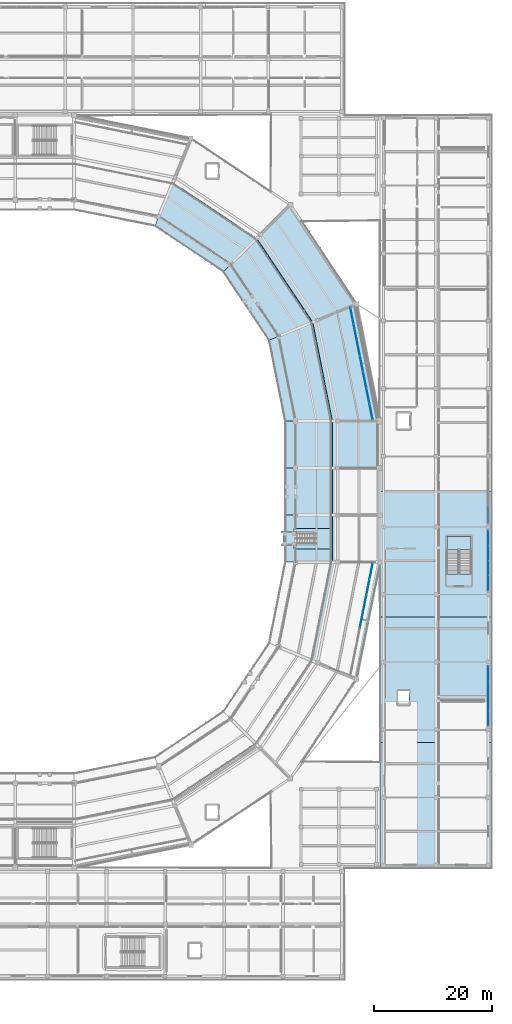
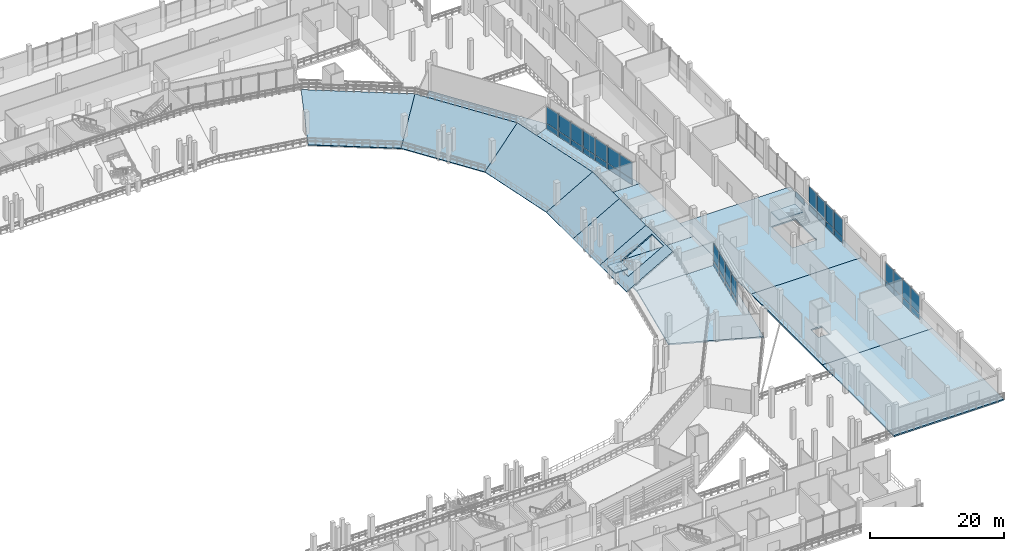
# One storey, part 67 of 127: 39 plates, 17 slabs, 7 elements without a shape of their own.
"""IFC4 building model written with IfcOpenShell, lengths in metres."""

from ifc_helpers import new_model, si_unit, direction, frame, origin, origin_2d, place, context, subcontext, project, spatial, polyline, rectangle, outline, extrude, material, layer, layer_set, type_object, element, aggregate, save


model = new_model("IFC4")

# Units and contexts
model_context = context("Model", 3, precision=1e-05, world=origin(), true_north=direction((0.0, 1.0)))
body_context = subcontext(model_context, "Body", "Model", "MODEL_VIEW")
ifc_project = project(units=[si_unit("LENGTHUNIT", "METRE"), si_unit("AREAUNIT", "SQUARE_METRE"), si_unit("VOLUMEUNIT", "CUBIC_METRE"), si_unit("PLANEANGLEUNIT", "RADIAN"), si_unit("MASSUNIT", "GRAM", prefix="KILO")], contexts=[model_context])

# Site, building, storey
site_placement = place(None, origin())
site = spatial("IfcSite", under=ifc_project, at=site_placement, CompositionType="ELEMENT")
building_placement = place(site_placement, origin())
building = spatial("IfcBuilding", under=site, at=building_placement, Name="Candeia Ridge Stadium", CompositionType="ELEMENT")
storey_placement = place(building_placement, frame((0.0, 0.0, 10.800048828125)))
storey = spatial("IfcBuildingStorey", under=building, at=storey_placement, Name="L02", CompositionType="ELEMENT", Elevation=10.800048828125)

# Slabs
ifc_material_1 = material(Name="Precast concrete C45/55", Category="concrete")
ifc_layer_1 = layer(ifc_material_1, 0.22509765625, Name="Precast concrete C45/55", Category="concrete")
ifc_layer_set_1 = layer_set([ifc_layer_1], Name="Precast concrete C45/55")
slab_type_1 = type_object("IfcSlabType", Name="Club Seating Tier Precast 225", PredefinedType="USERDEFINED", material=ifc_layer_set_1)
slab_1_placement = place(storey_placement, frame((176.800048828125, 71.0, 0.39990234375), z_axis=(-0.494386728352, 0.0, 0.869242062276), x_axis=(0.0, 1.0, 0.0)))
element("IfcSlab", 1, at=slab_1_placement, inside=storey, type_object=slab_type_1, Name="Stand Club Tier Stands Bay 30", ObjectType="SEATING TIER", PredefinedType="USERDEFINED", context=body_context, shape_type="SweptSolid", body=[
    extrude(outline(polyline([(0.0, 0.0), (8.0, 0.0), (8.0, -9.203420252184603), (0.0, -9.203420252184603), (0.0, 0.0)]), holes=[polyline([(2.239990234375, -1.8406291399876153), (5.760009765625, -1.8406291399876153), (5.760009765625, -8.835281957197846), (2.239990234375, -8.835281957197846), (2.239990234375, -1.8406291399876153)])]), origin(), (0.0, 0.0, -1.0), 0.22509765625),
])
for number, where, z_axis, x_axis, name in (
    (2, (176.800048828125, 79.0, 0.39990234375), (-0.494386728352, 0.0, 0.869242062276), (0.0, 1.0, 0.0), "Stand Club Tier Stands Bay 31"),
    (3, (176.800048828125, 87.0, 0.39990234375), (-0.494386728352, 0.0, 0.869242062276), (0.0, 1.0, 0.0), "Stand Club Tier Stands Bay 32"),
):
    element("IfcSlab", number, at=place(storey_placement, frame(where, z_axis=z_axis, x_axis=x_axis)), inside=storey, type_object=slab_type_1, Name=name, ObjectType="SEATING TIER", PredefinedType="USERDEFINED", context=body_context, shape_type="SweptSolid", body=[
        extrude(outline(polyline([(0.0, 0.0), (8.0, 0.0), (8.0, -9.203420252184603), (0.0, -9.203420252184603), (0.0, 0.0)])), origin(), (0.0, 0.0, -1.0), 0.22509765625),
    ])
slab_2_placement = place(storey_placement, frame((176.800048828125, 95.0, 0.39990234375), z_axis=(-0.492009659407, -0.097864069881, 0.86507174204), x_axis=(-0.195089410595, 0.980785461692, -2.563371e-06)))
element("IfcSlab", 4, at=slab_2_placement, inside=storey, type_object=slab_type_1, Name="Stand Club Tier Stands Bay 33", ObjectType="SEATING TIER", PredefinedType="USERDEFINED", context=body_context, shape_type="SweptSolid", body=[
    extrude(outline(polyline([(0.0, 0.0), (13.96835063084204, 0.0), (15.529587610985773, -9.070278646793197), (-1.5607269482180093, -9.070119940205563), (0.0, 0.0)])), origin(), (0.0, 0.0, -1.0), 0.22509765625),
])
slab_3_placement = place(storey_placement, frame((174.074951171875, 108.699951171875, 0.39990234375), z_axis=(-0.417085102929, -0.278715263732, 0.865076770395), x_axis=(-0.555607708072, 0.831444571051, 6.87557e-07)))
element("IfcSlab", 5, at=slab_3_placement, inside=storey, type_object=slab_type_1, Name="Stand Club Tier Stands Bay 34", ObjectType="SEATING TIER", PredefinedType="USERDEFINED", context=body_context, shape_type="SweptSolid", body=[
    extrude(outline(polyline([(0.0, 0.0), (13.968472441742488, 8.881784197001252e-16), (15.528879855339513, -9.070334794515325), (-1.5606633618274304, -9.070377363223672), (0.0, 0.0)])), origin(), (0.0, 0.0, -1.0), 0.22509765625),
])
slab_4_placement = place(storey_placement, frame((166.31396484375, 120.31396484375, 0.39990234375), z_axis=(-0.278715263732, -0.417085102929, 0.865076770395), x_axis=(-0.831444571051, 0.555607708072, -6.87557e-07)))
element("IfcSlab", 6, at=slab_4_placement, inside=storey, type_object=slab_type_1, Name="Stand Club Tier Stands Bay 35", ObjectType="SEATING TIER", PredefinedType="USERDEFINED", context=body_context, shape_type="SweptSolid", body=[
    extrude(outline(polyline([(0.0, 0.0), (13.968472441742488, -8.881784197001252e-16), (15.529135803569918, -9.070377363223672), (-1.5604074135970254, -9.070334794515325), (0.0, 0.0)])), origin(), (0.0, 0.0, -1.0), 0.22509765625),
])

# Stair, slab
ifc_material_2 = material(Name="Concrete C40/50", Category="concrete")
stair_type_1 = type_object("IfcStairType", Name="Enclosed Wing Half-Turn Stair 2000", PredefinedType="HALF_TURN_STAIR", material=ifc_material_2)
stair_1_placement = place(storey_placement, origin())
stair_1 = element("IfcStair", 7, at=stair_1_placement, inside=storey, type_object=stair_type_1, Name="L02 Enclosed exit stair ST16", PredefinedType="HALF_TURN_STAIR")
ifc_layer_2 = layer(ifc_material_2, 0.199951171875, Name="Concrete C40/50", Category="concrete")
ifc_layer_set_2 = layer_set([ifc_layer_2], Name="Concrete C40/50")
slab_type_2 = type_object("IfcSlabType", Name="Core Stair Landing Slab 200", PredefinedType="LANDING", material=ifc_layer_set_2)
slab_5_placement = place(storey_placement, frame((0.0, 0.0, 2.5)))
slab_5 = element("IfcSlab", 8, at=slab_5_placement, type_object=slab_type_2, Name="ST16 landing 1", PredefinedType="LANDING", context=body_context, shape_type="SweptSolid", body=[
    extrude(outline(polyline([(208.5, 73.06005859375), (208.5, 75.39990234375), (204.35009765625, 75.39990234375), (204.35009765625, 73.06005859375), (208.5, 73.06005859375)])), origin(), (0.0, 0.0, 1.0), 0.199951171875),
])
aggregate(stair_1, [slab_5])

stair_type_2 = type_object("IfcStairType", Name="Spectator Vomitory Straight Stair 2200", PredefinedType="STRAIGHT_RUN_STAIR", material=ifc_material_1)
stair_2_placement = place(storey_placement, origin())
stair_2 = element("IfcStair", 9, at=stair_2_placement, inside=storey, type_object=stair_type_2, Name="Vomitory stair VS24", PredefinedType="STRAIGHT_RUN_STAIR")
slab_6_placement = place(storey_placement, frame((0.0, 0.0, 2.0400390625)))
slab_6 = element("IfcSlab", 10, at=slab_6_placement, type_object=slab_type_2, Name="VS24 landing 1", PredefinedType="LANDING", context=body_context, shape_type="SweptSolid", body=[
    extrude(outline(polyline([(178.720458984375, 73.8798828125), (176.469970703125, 73.8798828125), (176.469970703125, 76.1201171875), (178.720458984375, 76.1201171875), (178.720458984375, 73.8798828125)])), origin(), (0.0, 0.0, 1.0), 0.199951171875),
])
aggregate(stair_2, [slab_6])

# Curtain wall, plates
ifc_material_3 = material(Name="Aluminium Anodized Warm Bronze", Category="aluminium")
curtain_wall_type_1 = type_object("IfcCurtainWallType", Name="Cardinal Entrance Gate Tall Glazed Curtain Wall", PredefinedType="NOTDEFINED", material=ifc_material_3)
curtain_wall_1_placement = place(storey_placement, origin())
curtain_wall_1 = element("IfcCurtainWall", 11, at=curtain_wall_1_placement, inside=storey, type_object=curtain_wall_type_1, Name="Unitised curtain wall CW-WNG-L02-106", PredefinedType="NOTDEFINED")
ifc_material_4 = material(Name="Laminated Acoustic Glazing", Category="glass")
ifc_layer_3 = layer(ifc_material_4, 0.035888671875, Name="Laminated Acoustic Glazing", Category="glass")
ifc_layer_set_3 = layer_set([ifc_layer_3], Name="Laminated Acoustic Glazing")
plate_type_1 = type_object("IfcPlateType", Name="Gate Tall Laminated Glass Panel GP3", PredefinedType="CURTAIN_PANEL", material=ifc_layer_set_3)
plate_1_placement = place(storey_placement, frame((211.39990234375, 44.4326171875, 1.139892578125), z_axis=(0.0, 0.0, 1.0), x_axis=(0.0, 1.0, 0.0)))
plate_1 = element("IfcPlate", 12, at=plate_1_placement, type_object=plate_type_1, Name="Curtain wall vision glass panel CW-WNG-L02-106-GP0", PredefinedType="CURTAIN_PANEL", context=body_context, shape_type="SweptSolid", body=[
    extrude(rectangle(XDim=2.47509765625, YDim=0.035888671875, at=origin_2d()), origin(), (0.0, 0.0, 1.0), 3.27490234375),
])
plate_2_placement = place(storey_placement, frame((211.39990234375, 46.9775390625, 1.139892578125), z_axis=(0.0, 0.0, 1.0), x_axis=(0.0, 1.0, 0.0)))
plate_2 = element("IfcPlate", 13, at=plate_2_placement, type_object=plate_type_1, Name="Curtain wall vision glass panel CW-WNG-L02-106-GP1", PredefinedType="CURTAIN_PANEL", context=body_context, shape_type="SweptSolid", body=[
    extrude(rectangle(XDim=2.47509765625, YDim=0.035888671875, at=origin_2d()), origin(), (0.0, 0.0, 1.0), 3.27490234375),
])
plate_3_placement = place(storey_placement, frame((211.39990234375, 49.5224609375, 1.139892578125), z_axis=(0.0, 0.0, 1.0), x_axis=(0.0, 1.0, 0.0)))
plate_3 = element("IfcPlate", 14, at=plate_3_placement, type_object=plate_type_1, Name="Curtain wall vision glass panel CW-WNG-L02-106-GP2", PredefinedType="CURTAIN_PANEL", context=body_context, shape_type="SweptSolid", body=[
    extrude(rectangle(XDim=2.47509765625, YDim=0.035888671875, at=origin_2d()), origin(), (0.0, 0.0, 1.0), 3.27490234375),
])
plate_4_placement = place(storey_placement, frame((211.39990234375, 52.0673828125, 1.139892578125), z_axis=(0.0, 0.0, 1.0), x_axis=(0.0, 1.0, 0.0)))
plate_4 = element("IfcPlate", 15, at=plate_4_placement, type_object=plate_type_1, Name="Curtain wall vision glass panel CW-WNG-L02-106-GP3", PredefinedType="CURTAIN_PANEL", context=body_context, shape_type="SweptSolid", body=[
    extrude(rectangle(XDim=2.47509765625, YDim=0.035888671875, at=origin_2d()), origin(), (0.0, 0.0, 1.0), 3.27490234375),
])

curtain_wall_2_placement = place(storey_placement, origin())
curtain_wall_2 = element("IfcCurtainWall", 16, at=curtain_wall_2_placement, inside=storey, type_object=curtain_wall_type_1, Name="Unitised curtain wall CW-WNG-L02-107", PredefinedType="NOTDEFINED")
plate_5_placement = place(storey_placement, frame((211.39990234375, 67.4326171875, 1.139892578125), z_axis=(0.0, 0.0, 1.0), x_axis=(0.0, 1.0, 0.0)))
plate_5 = element("IfcPlate", 17, at=plate_5_placement, type_object=plate_type_1, Name="Curtain wall vision glass panel CW-WNG-L02-107-GP0", PredefinedType="CURTAIN_PANEL", context=body_context, shape_type="SweptSolid", body=[
    extrude(rectangle(XDim=2.47509765625, YDim=0.035888671875, at=origin_2d()), origin(), (0.0, 0.0, 1.0), 3.27490234375),
])
plate_6_placement = place(storey_placement, frame((211.39990234375, 69.9775390625, 1.139892578125), z_axis=(0.0, 0.0, 1.0), x_axis=(0.0, 1.0, 0.0)))
plate_6 = element("IfcPlate", 18, at=plate_6_placement, type_object=plate_type_1, Name="Curtain wall vision glass panel CW-WNG-L02-107-GP1", PredefinedType="CURTAIN_PANEL", context=body_context, shape_type="SweptSolid", body=[
    extrude(rectangle(XDim=2.47509765625, YDim=0.035888671875, at=origin_2d()), origin(), (0.0, 0.0, 1.0), 3.27490234375),
])
plate_7_placement = place(storey_placement, frame((211.39990234375, 72.5224609375, 1.139892578125), z_axis=(0.0, 0.0, 1.0), x_axis=(0.0, 1.0, 0.0)))
plate_7 = element("IfcPlate", 19, at=plate_7_placement, type_object=plate_type_1, Name="Curtain wall vision glass panel CW-WNG-L02-107-GP2", PredefinedType="CURTAIN_PANEL", context=body_context, shape_type="SweptSolid", body=[
    extrude(rectangle(XDim=2.47509765625, YDim=0.035888671875, at=origin_2d()), origin(), (0.0, 0.0, 1.0), 3.27490234375),
])
plate_8_placement = place(storey_placement, frame((211.39990234375, 75.0673828125, 1.139892578125), z_axis=(0.0, 0.0, 1.0), x_axis=(0.0, 1.0, 0.0)))
plate_8 = element("IfcPlate", 20, at=plate_8_placement, type_object=plate_type_1, Name="Curtain wall vision glass panel CW-WNG-L02-107-GP3", PredefinedType="CURTAIN_PANEL", context=body_context, shape_type="SweptSolid", body=[
    extrude(rectangle(XDim=2.47509765625, YDim=0.035888671875, at=origin_2d()), origin(), (0.0, 0.0, 1.0), 3.27490234375),
])

# Slabs
ifc_layer_4 = layer(ifc_material_2, 0.25, Name="Concrete C40/50", Category="concrete")
ifc_layer_set_4 = layer_set([ifc_layer_4], Name="Concrete C40/50")
slab_type_3 = type_object("IfcSlabType", Name="Hospitality & Museum Slab 250", PredefinedType="FLOOR", material=ifc_layer_set_4)
slab_7_placement = place(storey_placement, frame((0.0, 0.0, -0.25)))
element("IfcSlab", 21, at=slab_7_placement, inside=storey, type_object=slab_type_3, Name="Bowl concourse sector slab L02 bay 29 SLB-L02-0101", PredefinedType="FLOOR", context=body_context, shape_type="SweptSolid", body=[
    extrude(outline(polyline([(178.60009765625, 71.0), (193.0, 71.0), (189.041748046875, 51.1005859375), (175.73779296875, 56.611083984375), (178.60009765625, 71.0)])), origin(), (0.0, 0.0, 1.0), 0.25),
])
slab_8_placement = place(storey_placement, frame((0.0, 0.0, -0.25)))
element("IfcSlab", 22, at=slab_8_placement, inside=storey, type_object=slab_type_3, Name="Bowl concourse sector slab L02 bay 30 SLB-L02-0102", PredefinedType="FLOOR", context=body_context, shape_type="SweptSolid", body=[
    extrude(outline(polyline([(178.60009765625, 79.0), (193.0, 79.0), (193.0, 71.0), (178.60009765625, 71.0), (178.60009765625, 79.0)])), origin(), (0.0, 0.0, 1.0), 0.25),
])
slab_9_placement = place(storey_placement, frame((0.0, 0.0, -0.25)))
element("IfcSlab", 23, at=slab_9_placement, inside=storey, type_object=slab_type_3, Name="Bowl concourse sector slab L02 bay 31 SLB-L02-0103", PredefinedType="FLOOR", context=body_context, shape_type="SweptSolid", body=[
    extrude(outline(polyline([(178.60009765625, 87.0), (193.0, 87.0), (193.0, 79.0), (178.60009765625, 79.0), (178.60009765625, 87.0)])), origin(), (0.0, 0.0, 1.0), 0.25),
])
slab_10_placement = place(storey_placement, frame((0.0, 0.0, -0.25)))
element("IfcSlab", 24, at=slab_10_placement, inside=storey, type_object=slab_type_3, Name="Bowl concourse sector slab L02 bay 32 SLB-L02-0104", PredefinedType="FLOOR", context=body_context, shape_type="SweptSolid", body=[
    extrude(outline(polyline([(178.60009765625, 95.0), (193.0, 95.0), (193.0, 87.0), (178.60009765625, 87.0), (178.60009765625, 95.0)])), origin(), (0.0, 0.0, 1.0), 0.25),
])
slab_11_placement = place(storey_placement, frame((0.0, 0.0, -0.25)))
element("IfcSlab", 25, at=slab_11_placement, inside=storey, type_object=slab_type_3, Name="Bowl concourse sector slab L02 bay 33 SLB-L02-0105", PredefinedType="FLOOR", context=body_context, shape_type="SweptSolid", body=[
    extrude(outline(polyline([(175.73779296875, 109.388916015625), (189.041748046875, 114.8994140625), (193.0, 95.0), (178.60009765625, 95.0), (175.73779296875, 109.388916015625)])), origin(), (0.0, 0.0, 1.0), 0.25),
])
slab_12_placement = place(storey_placement, frame((0.0, 0.0, -0.25)))
element("IfcSlab", 26, at=slab_12_placement, inside=storey, type_object=slab_type_3, Name="Bowl concourse sector slab L02 bay 34 SLB-L02-0106", PredefinedType="FLOOR", context=body_context, shape_type="SweptSolid", body=[
    extrude(outline(polyline([(167.587158203125, 121.587158203125), (177.76953125, 131.76953125), (189.041748046875, 114.8994140625), (175.73779296875, 109.388916015625), (167.587158203125, 121.587158203125)])), origin(), (0.0, 0.0, 1.0), 0.25),
])
slab_13_placement = place(storey_placement, frame((0.0, 0.0, -0.25)))
element("IfcSlab", 27, at=slab_13_placement, inside=storey, type_object=slab_type_3, Name="Wing floor slab east SLB-L02-0251", PredefinedType="FLOOR", context=body_context, shape_type="SweptSolid", body=[
    extrude(outline(polyline([(193.0, 19.0), (193.0, 40.333251953125), (212.0, 40.333251953125), (212.0, 19.0), (193.0, 19.0)])), origin(), (0.0, 0.0, 1.0), 0.25),
])
slab_14_placement = place(storey_placement, frame((0.0, 0.0, -0.25)))
element("IfcSlab", 28, at=slab_14_placement, inside=storey, type_object=slab_type_3, Name="Wing floor slab east SLB-L02-0252", PredefinedType="FLOOR", context=body_context, shape_type="SweptSolid", body=[
    extrude(outline(polyline([(193.0, 40.333251953125), (193.0, 61.666748046875), (212.0, 61.666748046875), (212.0, 40.333251953125), (193.0, 40.333251953125)]), holes=[polyline([(197.949951171875, 46.85009765625), (197.949951171875, 49.14990234375), (196.050048828125, 49.14990234375), (196.050048828125, 46.85009765625), (197.949951171875, 46.85009765625)])]), origin(), (0.0, 0.0, 1.0), 0.25),
])
slab_15_placement = place(storey_placement, frame((0.0, 0.0, -0.25)))
element("IfcSlab", 29, at=slab_15_placement, inside=storey, type_object=slab_type_3, Name="Wing floor slab east SLB-L02-0253", PredefinedType="FLOOR", context=body_context, shape_type="SweptSolid", body=[
    extrude(outline(polyline([(193.0, 61.666748046875), (193.0, 83.0), (212.0, 83.0), (212.0, 61.666748046875), (193.0, 61.666748046875)]), holes=[polyline([(208.5, 69.00048828125), (208.5, 75.39990234375), (204.35009765625, 75.39990234375), (204.35009765625, 69.00048828125), (208.5, 69.00048828125)])]), origin(), (0.0, 0.0, 1.0), 0.25),
])

# Curtain wall, plates
curtain_wall_type_2 = type_object("IfcCurtainWallType", Name="Concourse Recessed Unitised Curtain Wall", PredefinedType="NOTDEFINED", material=ifc_material_3)
curtain_wall_3_placement = place(storey_placement, origin())
curtain_wall_3 = element("IfcCurtainWall", 30, at=curtain_wall_3_placement, inside=storey, type_object=curtain_wall_type_2, Name="Unitised curtain wall CW-BWL-L02-28", PredefinedType="NOTDEFINED")
ifc_material_5 = material(Name="Aluminium Insulated Spandrel", Category="aluminium")
ifc_layer_5 = layer(ifc_material_5, 0.06494140625, Name="Aluminium Insulated Spandrel", Category="aluminium")
ifc_layer_set_5 = layer_set([ifc_layer_5], Name="Aluminium Insulated Spandrel")
plate_type_2 = type_object("IfcPlateType", Name="Insulated Bronze Spandrel Panel SP4", PredefinedType="CURTAIN_PANEL", material=ifc_layer_set_5)
plate_9_placement = place(storey_placement, frame((189.86669921875, 61.27978515625, 0.0400390625), z_axis=(0.0, 0.0, 1.0), x_axis=(0.195090320544, 0.980785280696, 0.0)))
plate_9 = element("IfcPlate", 31, at=plate_9_placement, type_object=plate_type_2, Name="Curtain wall spandrel panel CW-BWL-L02-28-SP3", PredefinedType="CURTAIN_PANEL", context=body_context, shape_type="SweptSolid", body=[
    extrude(rectangle(XDim=2.710205078125, YDim=0.06494140625, at=origin_2d()), origin(), (0.0, 0.0, 1.0), 0.983642578125),
])
plate_10_placement = place(storey_placement, frame((190.408935546875, 64.006591796875, 0.0400390625), z_axis=(0.0, 0.0, 1.0), x_axis=(0.195090320544, 0.980785280696, 0.0)))
plate_10 = element("IfcPlate", 32, at=plate_10_placement, type_object=plate_type_2, Name="Curtain wall spandrel panel CW-BWL-L02-28-SP4", PredefinedType="CURTAIN_PANEL", context=body_context, shape_type="SweptSolid", body=[
    extrude(rectangle(XDim=2.710205078125, YDim=0.06494140625, at=origin_2d()), origin(), (0.0, 0.0, 1.0), 0.983642578125),
])
plate_11_placement = place(storey_placement, frame((190.951416015625, 66.7333984375, 0.0400390625), z_axis=(0.0, 0.0, 1.0), x_axis=(0.195090320544, 0.980785280696, 0.0)))
plate_11 = element("IfcPlate", 33, at=plate_11_placement, type_object=plate_type_2, Name="Curtain wall spandrel panel CW-BWL-L02-28-SP5", PredefinedType="CURTAIN_PANEL", context=body_context, shape_type="SweptSolid", body=[
    extrude(rectangle(XDim=2.710205078125, YDim=0.06494140625, at=origin_2d()), origin(), (0.0, 0.0, 1.0), 0.983642578125),
])
plate_12_placement = place(storey_placement, frame((191.49365234375, 69.460205078125, 0.0400390625), z_axis=(0.0, 0.0, 1.0), x_axis=(0.195090320544, 0.980785280696, 0.0)))
plate_12 = element("IfcPlate", 34, at=plate_12_placement, type_object=plate_type_2, Name="Curtain wall spandrel panel CW-BWL-L02-28-SP6", PredefinedType="CURTAIN_PANEL", context=body_context, shape_type="SweptSolid", body=[
    extrude(rectangle(XDim=2.710205078125, YDim=0.06494140625, at=origin_2d()), origin(), (0.0, 0.0, 1.0), 0.983642578125),
])

curtain_wall_4_placement = place(storey_placement, origin())
curtain_wall_4 = element("IfcCurtainWall", 35, at=curtain_wall_4_placement, inside=storey, type_object=curtain_wall_type_2, Name="Unitised curtain wall CW-BWL-L02-32", PredefinedType="NOTDEFINED")
plate_13_placement = place(storey_placement, frame((191.49365234375, 96.539794921875, 0.0400390625), z_axis=(0.0, 0.0, 1.0), x_axis=(-0.195090320544, 0.980785280696, 0.0)))
plate_13 = element("IfcPlate", 36, at=plate_13_placement, type_object=plate_type_2, Name="Curtain wall spandrel panel CW-BWL-L02-32-SP0", PredefinedType="CURTAIN_PANEL", context=body_context, shape_type="SweptSolid", body=[
    extrude(rectangle(XDim=2.710205078125, YDim=0.06494140625, at=origin_2d()), origin(), (0.0, 0.0, 1.0), 0.973876953125),
])
plate_14_placement = place(storey_placement, frame((190.951416015625, 99.2666015625, 0.0400390625), z_axis=(0.0, 0.0, 1.0), x_axis=(-0.195090320544, 0.980785280696, 0.0)))
plate_14 = element("IfcPlate", 37, at=plate_14_placement, type_object=plate_type_2, Name="Curtain wall spandrel panel CW-BWL-L02-32-SP1", PredefinedType="CURTAIN_PANEL", context=body_context, shape_type="SweptSolid", body=[
    extrude(rectangle(XDim=2.710205078125, YDim=0.06494140625, at=origin_2d()), origin(), (0.0, 0.0, 1.0), 0.973876953125),
])
plate_15_placement = place(storey_placement, frame((190.408935546875, 101.993408203125, 0.0400390625), z_axis=(0.0, 0.0, 1.0), x_axis=(-0.195090320544, 0.980785280696, 0.0)))
plate_15 = element("IfcPlate", 38, at=plate_15_placement, type_object=plate_type_2, Name="Curtain wall spandrel panel CW-BWL-L02-32-SP2", PredefinedType="CURTAIN_PANEL", context=body_context, shape_type="SweptSolid", body=[
    extrude(rectangle(XDim=2.710205078125, YDim=0.06494140625, at=origin_2d()), origin(), (0.0, 0.0, 1.0), 0.973876953125),
])
plate_16_placement = place(storey_placement, frame((189.86669921875, 104.72021484375, 0.0400390625), z_axis=(0.0, 0.0, 1.0), x_axis=(-0.195090320544, 0.980785280696, 0.0)))
plate_16 = element("IfcPlate", 39, at=plate_16_placement, type_object=plate_type_2, Name="Curtain wall spandrel panel CW-BWL-L02-32-SP3", PredefinedType="CURTAIN_PANEL", context=body_context, shape_type="SweptSolid", body=[
    extrude(rectangle(XDim=2.710205078125, YDim=0.06494140625, at=origin_2d()), origin(), (0.0, 0.0, 1.0), 0.973876953125),
])
plate_17_placement = place(storey_placement, frame((189.32421875, 107.447021484375, 0.0400390625), z_axis=(0.0, 0.0, 1.0), x_axis=(-0.195090320544, 0.980785280696, 0.0)))
plate_17 = element("IfcPlate", 40, at=plate_17_placement, type_object=plate_type_2, Name="Curtain wall spandrel panel CW-BWL-L02-32-SP4", PredefinedType="CURTAIN_PANEL", context=body_context, shape_type="SweptSolid", body=[
    extrude(rectangle(XDim=2.710205078125, YDim=0.06494140625, at=origin_2d()), origin(), (0.0, 0.0, 1.0), 0.973876953125),
])
plate_18_placement = place(storey_placement, frame((188.78173828125, 110.173583984375, 0.0400390625), z_axis=(0.0, 0.0, 1.0), x_axis=(-0.195090320544, 0.980785280696, 0.0)))
plate_18 = element("IfcPlate", 41, at=plate_18_placement, type_object=plate_type_2, Name="Curtain wall spandrel panel CW-BWL-L02-32-SP5", PredefinedType="CURTAIN_PANEL", context=body_context, shape_type="SweptSolid", body=[
    extrude(rectangle(XDim=2.710205078125, YDim=0.06494140625, at=origin_2d()), origin(), (0.0, 0.0, 1.0), 0.973876953125),
])
plate_19_placement = place(storey_placement, frame((188.239501953125, 112.900390625, 0.0400390625), z_axis=(0.0, 0.0, 1.0), x_axis=(-0.195090320544, 0.980785280696, 0.0)))
plate_19 = element("IfcPlate", 42, at=plate_19_placement, type_object=plate_type_2, Name="Curtain wall spandrel panel CW-BWL-L02-32-SP6", PredefinedType="CURTAIN_PANEL", context=body_context, shape_type="SweptSolid", body=[
    extrude(rectangle(XDim=2.710205078125, YDim=0.06494140625, at=origin_2d()), origin(), (0.0, 0.0, 1.0), 0.973876953125),
])

# Plate
ifc_layer_6 = layer(ifc_material_5, 0.06494140625, Name="Aluminium Insulated Spandrel", Category="aluminium")
ifc_layer_set_6 = layer_set([ifc_layer_6], Name="Aluminium Insulated Spandrel")
plate_type_3 = type_object("IfcPlateType", Name="Insulated Cedar-Tone Spandrel Panel SP3", PredefinedType="CURTAIN_PANEL", material=ifc_layer_set_6)
plate_20_placement = place(storey_placement, frame((211.39990234375, 44.4326171875, 0.0400390625), z_axis=(0.0, 0.0, 1.0), x_axis=(0.0, 1.0, 0.0)))
plate_20 = element("IfcPlate", 43, at=plate_20_placement, type_object=plate_type_3, Name="Curtain wall spandrel panel CW-WNG-L02-106-SP0", PredefinedType="CURTAIN_PANEL", context=body_context, shape_type="SweptSolid", body=[
    extrude(rectangle(XDim=2.47509765625, YDim=0.06494140625, at=origin_2d()), origin(), (0.0, 0.0, 1.0), 1.02001953125),
])

plate_21_placement = place(storey_placement, frame((211.39990234375, 46.9775390625, 0.0400390625), z_axis=(0.0, 0.0, 1.0), x_axis=(0.0, 1.0, 0.0)))
plate_21 = element("IfcPlate", 44, at=plate_21_placement, type_object=plate_type_3, Name="Curtain wall spandrel panel CW-WNG-L02-106-SP1", PredefinedType="CURTAIN_PANEL", context=body_context, shape_type="SweptSolid", body=[
    extrude(rectangle(XDim=2.47509765625, YDim=0.06494140625, at=origin_2d()), origin(), (0.0, 0.0, 1.0), 1.02001953125),
])

plate_22_placement = place(storey_placement, frame((211.39990234375, 49.5224609375, 0.0400390625), z_axis=(0.0, 0.0, 1.0), x_axis=(0.0, 1.0, 0.0)))
plate_22 = element("IfcPlate", 45, at=plate_22_placement, type_object=plate_type_3, Name="Curtain wall spandrel panel CW-WNG-L02-106-SP2", PredefinedType="CURTAIN_PANEL", context=body_context, shape_type="SweptSolid", body=[
    extrude(rectangle(XDim=2.47509765625, YDim=0.06494140625, at=origin_2d()), origin(), (0.0, 0.0, 1.0), 1.02001953125),
])

plate_23_placement = place(storey_placement, frame((211.39990234375, 52.0673828125, 0.0400390625), z_axis=(0.0, 0.0, 1.0), x_axis=(0.0, 1.0, 0.0)))
plate_23 = element("IfcPlate", 46, at=plate_23_placement, type_object=plate_type_3, Name="Curtain wall spandrel panel CW-WNG-L02-106-SP3", PredefinedType="CURTAIN_PANEL", context=body_context, shape_type="SweptSolid", body=[
    extrude(rectangle(XDim=2.47509765625, YDim=0.06494140625, at=origin_2d()), origin(), (0.0, 0.0, 1.0), 1.02001953125),
])

aggregate(curtain_wall_1, [plate_20, plate_1, plate_21, plate_2, plate_22, plate_3, plate_23, plate_4])

plate_24_placement = place(storey_placement, frame((211.39990234375, 67.4326171875, 0.0400390625), z_axis=(0.0, 0.0, 1.0), x_axis=(0.0, 1.0, 0.0)))
plate_24 = element("IfcPlate", 47, at=plate_24_placement, type_object=plate_type_3, Name="Curtain wall spandrel panel CW-WNG-L02-107-SP0", PredefinedType="CURTAIN_PANEL", context=body_context, shape_type="SweptSolid", body=[
    extrude(rectangle(XDim=2.47509765625, YDim=0.06494140625, at=origin_2d()), origin(), (0.0, 0.0, 1.0), 1.02001953125),
])

plate_25_placement = place(storey_placement, frame((211.39990234375, 69.9775390625, 0.0400390625), z_axis=(0.0, 0.0, 1.0), x_axis=(0.0, 1.0, 0.0)))
plate_25 = element("IfcPlate", 48, at=plate_25_placement, type_object=plate_type_3, Name="Curtain wall spandrel panel CW-WNG-L02-107-SP1", PredefinedType="CURTAIN_PANEL", context=body_context, shape_type="SweptSolid", body=[
    extrude(rectangle(XDim=2.47509765625, YDim=0.06494140625, at=origin_2d()), origin(), (0.0, 0.0, 1.0), 1.02001953125),
])

plate_26_placement = place(storey_placement, frame((211.39990234375, 72.5224609375, 0.0400390625), z_axis=(0.0, 0.0, 1.0), x_axis=(0.0, 1.0, 0.0)))
plate_26 = element("IfcPlate", 49, at=plate_26_placement, type_object=plate_type_3, Name="Curtain wall spandrel panel CW-WNG-L02-107-SP2", PredefinedType="CURTAIN_PANEL", context=body_context, shape_type="SweptSolid", body=[
    extrude(rectangle(XDim=2.47509765625, YDim=0.06494140625, at=origin_2d()), origin(), (0.0, 0.0, 1.0), 1.02001953125),
])

plate_27_placement = place(storey_placement, frame((211.39990234375, 75.0673828125, 0.0400390625), z_axis=(0.0, 0.0, 1.0), x_axis=(0.0, 1.0, 0.0)))
plate_27 = element("IfcPlate", 50, at=plate_27_placement, type_object=plate_type_3, Name="Curtain wall spandrel panel CW-WNG-L02-107-SP3", PredefinedType="CURTAIN_PANEL", context=body_context, shape_type="SweptSolid", body=[
    extrude(rectangle(XDim=2.47509765625, YDim=0.06494140625, at=origin_2d()), origin(), (0.0, 0.0, 1.0), 1.02001953125),
])

aggregate(curtain_wall_2, [plate_24, plate_5, plate_25, plate_6, plate_26, plate_7, plate_27, plate_8])

# Curtain wall, plate
curtain_wall_5_placement = place(storey_placement, origin())
curtain_wall_5 = element("IfcCurtainWall", 51, at=curtain_wall_5_placement, inside=storey, type_object=curtain_wall_type_1, Name="Unitised curtain wall CW-WNG-L02-108", PredefinedType="NOTDEFINED")
plate_28_placement = place(storey_placement, frame((211.39990234375, 78.9951171875, 0.0400390625), z_axis=(0.0, 0.0, 1.0), x_axis=(0.0, 1.0, 0.0)))
plate_28 = element("IfcPlate", 52, at=plate_28_placement, type_object=plate_type_3, Name="Curtain wall spandrel panel CW-WNG-L02-108-SP0", PredefinedType="CURTAIN_PANEL", context=body_context, shape_type="SweptSolid", body=[
    extrude(rectangle(XDim=2.60009765625, YDim=0.06494140625, at=origin_2d()), origin(), (0.0, 0.0, 1.0), 1.02001953125),
])
aggregate(curtain_wall_5, [plate_28])

# Plate
ifc_material_6 = material(Name="Tempered Low-E Double Glazing", Category="glass")
ifc_layer_7 = layer(ifc_material_6, 0.035888671875, Name="Tempered Low-E Double Glazing", Category="glass")
ifc_layer_set_7 = layer_set([ifc_layer_7], Name="Tempered Low-E Double Glazing")
plate_type_4 = type_object("IfcPlateType", Name="Solar Control Vision Glass Panel GP1", PredefinedType="CURTAIN_PANEL", material=ifc_layer_set_7)
plate_29_placement = place(storey_placement, frame((189.86669921875, 61.27978515625, 1.103759765625), z_axis=(0.0, 0.0, 1.0), x_axis=(0.195090320544, 0.980785280696, 0.0)))
plate_29 = element("IfcPlate", 53, at=plate_29_placement, type_object=plate_type_4, Name="Curtain wall vision glass panel CW-BWL-L02-28-GP3", PredefinedType="CURTAIN_PANEL", context=body_context, shape_type="SweptSolid", body=[
    extrude(rectangle(XDim=2.710205078125, YDim=0.035888671875, at=origin_2d()), origin(), (0.0, 0.0, 1.0), 3.111328125),
])

plate_30_placement = place(storey_placement, frame((190.408935546875, 64.006591796875, 1.103759765625), z_axis=(0.0, 0.0, 1.0), x_axis=(0.195090320544, 0.980785280696, 0.0)))
plate_30 = element("IfcPlate", 54, at=plate_30_placement, type_object=plate_type_4, Name="Curtain wall vision glass panel CW-BWL-L02-28-GP4", PredefinedType="CURTAIN_PANEL", context=body_context, shape_type="SweptSolid", body=[
    extrude(rectangle(XDim=2.710205078125, YDim=0.035888671875, at=origin_2d()), origin(), (0.0, 0.0, 1.0), 3.111328125),
])

plate_31_placement = place(storey_placement, frame((190.951416015625, 66.7333984375, 1.103759765625), z_axis=(0.0, 0.0, 1.0), x_axis=(0.195090320544, 0.980785280696, 0.0)))
plate_31 = element("IfcPlate", 55, at=plate_31_placement, type_object=plate_type_4, Name="Curtain wall vision glass panel CW-BWL-L02-28-GP5", PredefinedType="CURTAIN_PANEL", context=body_context, shape_type="SweptSolid", body=[
    extrude(rectangle(XDim=2.710205078125, YDim=0.035888671875, at=origin_2d()), origin(), (0.0, 0.0, 1.0), 3.111328125),
])

plate_32_placement = place(storey_placement, frame((191.49365234375, 69.460205078125, 1.103759765625), z_axis=(0.0, 0.0, 1.0), x_axis=(0.195090320544, 0.980785280696, 0.0)))
plate_32 = element("IfcPlate", 56, at=plate_32_placement, type_object=plate_type_4, Name="Curtain wall vision glass panel CW-BWL-L02-28-GP6", PredefinedType="CURTAIN_PANEL", context=body_context, shape_type="SweptSolid", body=[
    extrude(rectangle(XDim=2.710205078125, YDim=0.035888671875, at=origin_2d()), origin(), (0.0, 0.0, 1.0), 3.111328125),
])

aggregate(curtain_wall_3, [plate_9, plate_29, plate_10, plate_30, plate_11, plate_31, plate_12, plate_32])

ifc_layer_8 = layer(ifc_material_6, 0.035888671875, Name="Tempered Low-E Double Glazing", Category="glass")
ifc_layer_set_8 = layer_set([ifc_layer_8], Name="Tempered Low-E Double Glazing")
plate_type_5 = type_object("IfcPlateType", Name="Solar Control Vision Glass Panel GP7", PredefinedType="CURTAIN_PANEL", material=ifc_layer_set_8)
plate_33_placement = place(storey_placement, frame((191.49365234375, 96.539794921875, 1.09375), z_axis=(0.0, 0.0, 1.0), x_axis=(-0.195090320544, 0.980785280696, 0.0)))
plate_33 = element("IfcPlate", 57, at=plate_33_placement, type_object=plate_type_5, Name="Curtain wall vision glass panel CW-BWL-L02-32-GP0", PredefinedType="CURTAIN_PANEL", context=body_context, shape_type="SweptSolid", body=[
    extrude(rectangle(XDim=2.710205078125, YDim=0.035888671875, at=origin_2d()), origin(), (0.0, 0.0, 1.0), 3.081298828125),
])

plate_34_placement = place(storey_placement, frame((190.951416015625, 99.2666015625, 1.09375), z_axis=(0.0, 0.0, 1.0), x_axis=(-0.195090320544, 0.980785280696, 0.0)))
plate_34 = element("IfcPlate", 58, at=plate_34_placement, type_object=plate_type_5, Name="Curtain wall vision glass panel CW-BWL-L02-32-GP1", PredefinedType="CURTAIN_PANEL", context=body_context, shape_type="SweptSolid", body=[
    extrude(rectangle(XDim=2.710205078125, YDim=0.035888671875, at=origin_2d()), origin(), (0.0, 0.0, 1.0), 3.081298828125),
])

plate_35_placement = place(storey_placement, frame((190.408935546875, 101.993408203125, 1.09375), z_axis=(0.0, 0.0, 1.0), x_axis=(-0.195090320544, 0.980785280696, 0.0)))
plate_35 = element("IfcPlate", 59, at=plate_35_placement, type_object=plate_type_5, Name="Curtain wall vision glass panel CW-BWL-L02-32-GP2", PredefinedType="CURTAIN_PANEL", context=body_context, shape_type="SweptSolid", body=[
    extrude(rectangle(XDim=2.710205078125, YDim=0.035888671875, at=origin_2d()), origin(), (0.0, 0.0, 1.0), 3.081298828125),
])

plate_36_placement = place(storey_placement, frame((189.86669921875, 104.72021484375, 1.09375), z_axis=(0.0, 0.0, 1.0), x_axis=(-0.195090320544, 0.980785280696, 0.0)))
plate_36 = element("IfcPlate", 60, at=plate_36_placement, type_object=plate_type_5, Name="Curtain wall vision glass panel CW-BWL-L02-32-GP3", PredefinedType="CURTAIN_PANEL", context=body_context, shape_type="SweptSolid", body=[
    extrude(rectangle(XDim=2.710205078125, YDim=0.035888671875, at=origin_2d()), origin(), (0.0, 0.0, 1.0), 3.081298828125),
])

plate_37_placement = place(storey_placement, frame((189.32421875, 107.447021484375, 1.09375), z_axis=(0.0, 0.0, 1.0), x_axis=(-0.195090320544, 0.980785280696, 0.0)))
plate_37 = element("IfcPlate", 61, at=plate_37_placement, type_object=plate_type_5, Name="Curtain wall vision glass panel CW-BWL-L02-32-GP4", PredefinedType="CURTAIN_PANEL", context=body_context, shape_type="SweptSolid", body=[
    extrude(rectangle(XDim=2.710205078125, YDim=0.035888671875, at=origin_2d()), origin(), (0.0, 0.0, 1.0), 3.081298828125),
])

plate_38_placement = place(storey_placement, frame((188.78173828125, 110.173583984375, 1.09375), z_axis=(0.0, 0.0, 1.0), x_axis=(-0.195090320544, 0.980785280696, 0.0)))
plate_38 = element("IfcPlate", 62, at=plate_38_placement, type_object=plate_type_5, Name="Curtain wall vision glass panel CW-BWL-L02-32-GP5", PredefinedType="CURTAIN_PANEL", context=body_context, shape_type="SweptSolid", body=[
    extrude(rectangle(XDim=2.710205078125, YDim=0.035888671875, at=origin_2d()), origin(), (0.0, 0.0, 1.0), 3.081298828125),
])

plate_39_placement = place(storey_placement, frame((188.239501953125, 112.900390625, 1.09375), z_axis=(0.0, 0.0, 1.0), x_axis=(-0.195090320544, 0.980785280696, 0.0)))
plate_39 = element("IfcPlate", 63, at=plate_39_placement, type_object=plate_type_5, Name="Curtain wall vision glass panel CW-BWL-L02-32-GP6", PredefinedType="CURTAIN_PANEL", context=body_context, shape_type="SweptSolid", body=[
    extrude(rectangle(XDim=2.710205078125, YDim=0.035888671875, at=origin_2d()), origin(), (0.0, 0.0, 1.0), 3.081298828125),
])

aggregate(curtain_wall_4, [plate_13, plate_33, plate_14, plate_34, plate_15, plate_35, plate_16, plate_36, plate_17, plate_37, plate_18, plate_38, plate_19, plate_39])

save(model, "model.ifc")
